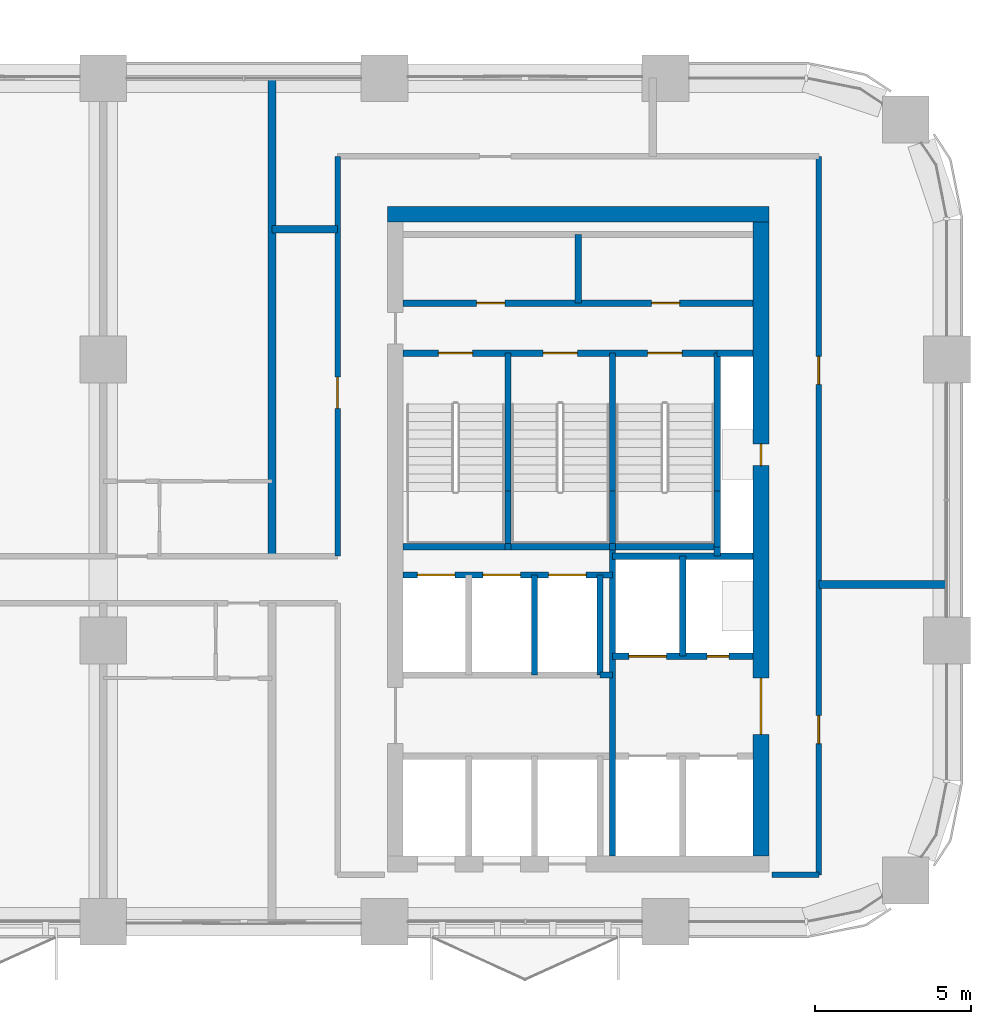
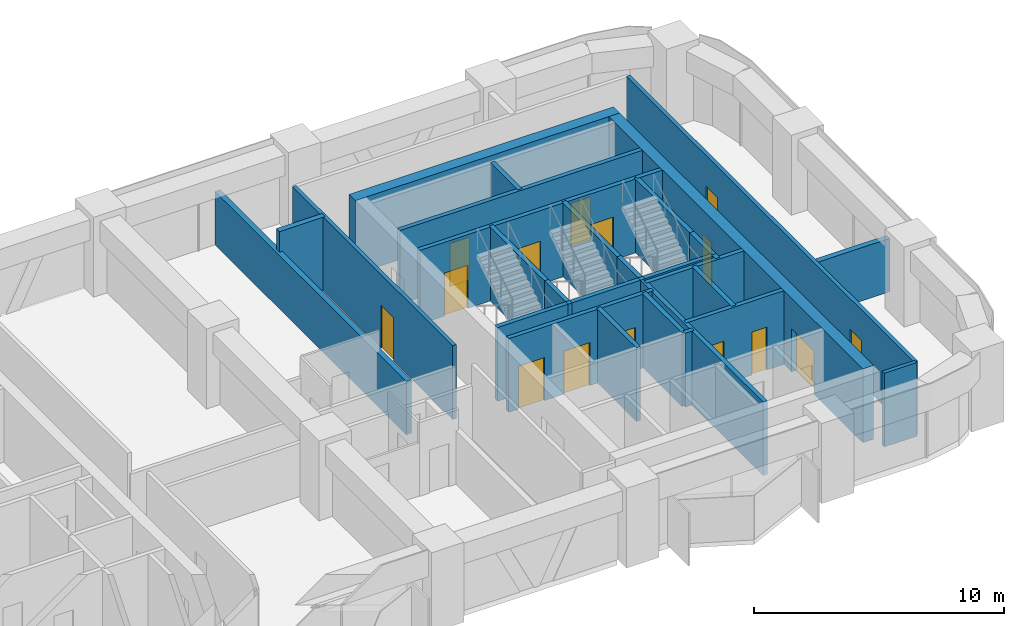
# One storey, part 10 of 13: 32 walls, 15 doors, 15 openings.
"""IFC4 building model written with IfcOpenShell, lengths in metres."""

from ifc_helpers import new_model, si_unit, direction, frame, frame_2d, origin, place, context, subcontext, project, spatial, rectangle, extrude, material, layer, layer_set, type_object, element, fill, save


model = new_model("IFC4")

# Units and contexts
model_context = context("Model", 3, precision=1e-05, world=origin(), true_north=direction((0.0, 1.0)))
body_context = subcontext(model_context, "Body", "Model", "MODEL_VIEW")
ifc_project = project(units=[si_unit("LENGTHUNIT", "METRE"), si_unit("AREAUNIT", "SQUARE_METRE"), si_unit("VOLUMEUNIT", "CUBIC_METRE"), si_unit("PLANEANGLEUNIT", "RADIAN"), si_unit("MASSUNIT", "GRAM", prefix="KILO")], contexts=[model_context])

# Site, building, storey
site_placement = place(None, origin())
site = spatial("IfcSite", under=ifc_project, at=site_placement, CompositionType="ELEMENT")
building_placement = place(site_placement, origin())
building = spatial("IfcBuilding", under=site, at=building_placement, Name="Tessera Arch", CompositionType="ELEMENT")
storey_placement = place(building_placement, frame((0.0, 0.0, 189.5)))
storey = spatial("IfcBuildingStorey", under=building, at=storey_placement, Name="L45", CompositionType="ELEMENT", Elevation=189.5)

# Walls
ifc_material_1 = material(Name="Gypsum board on steel stud", Category="steel")
ifc_layer_1 = layer(ifc_material_1, 0.125)
ifc_layer_set_1 = layer_set([ifc_layer_1], Name="Core partition 125 EI 60")
wall_type_1 = type_object("IfcWallType", Name="Core partition 125 EI 60", PredefinedType="PARTITIONING", material=ifc_layer_set_1)
wall_1_placement = place(storey_placement, frame((42.199951171875, 46.800048828125, 0.0), z_axis=(0.0, 0.0, 1.0), x_axis=(0.0, 1.0, 0.0)))
element("IfcWall", 1, at=wall_1_placement, inside=storey, type_object=wall_type_1, Name="L45 C1 partition wall 7", PredefinedType="PARTITIONING", context=body_context, shape_type="SweptSolid", body=[
    extrude(rectangle(XDim=2.199951171875, YDim=0.199951171875, at=frame_2d((1.10009765625, 0.0))), origin(), (0.0, 0.0, 1.0), 3.60009765625),
])
wall_2_placement = place(storey_placement, frame((42.89990234375, 34.89990234375, 0.0), z_axis=(0.0, 0.0, 1.0), x_axis=(1.0, 0.0, 0.0)))
element("IfcWall", 2, at=wall_2_placement, inside=storey, type_object=wall_type_1, Name="L45 C1 partition wall 19", PredefinedType="PARTITIONING", context=body_context, shape_type="SweptSolid", body=[
    extrude(rectangle(XDim=0.400146484375, YDim=0.199951171875, at=frame_2d((0.2001953125, 0.0))), origin(), (0.0, 0.0, 1.0), 3.60009765625),
])

# Wall, openings, doors
wall_3_placement = place(storey_placement, frame((36.60009765625, 46.800048828125, 0.0), z_axis=(0.0, 0.0, 1.0), x_axis=(1.0, 0.0, 0.0)))
wall_3 = element("IfcWall", 3, at=wall_3_placement, inside=storey, type_object=wall_type_1, Name="L45 C1 partition wall 31", PredefinedType="PARTITIONING", context=body_context, shape_type="SweptSolid", body=[
    extrude(rectangle(XDim=11.199951171875, YDim=0.199951171875, at=frame_2d((5.60009765625, 0.0))), origin(), (0.0, 0.0, 1.0), 3.60009765625),
])
opening_1_placement = place(wall_3_placement, frame((2.35009765625, 0.0, 0.0)))
opening_1 = element("IfcOpeningElement", 4, at=opening_1_placement, cuts=wall_3, Name="Opening L45-C18", PredefinedType="OPENING", context=body_context, shape_type="SweptSolid", body=[
    extrude(rectangle(XDim=0.89990234375, YDim=2.10009765625, at=frame_2d((0.449951171875, 1.050048828125))), frame((0.0, 0.10986328125, 0.0), z_axis=(0.0, -1.0, 0.0), x_axis=(1.0, 0.0, 0.0)), (0.0, 0.0, 1.0), 0.219970703125),
])
opening_2_placement = place(wall_3_placement, frame((7.949951171875, 0.0, 0.0)))
opening_2 = element("IfcOpeningElement", 5, at=opening_2_placement, cuts=wall_3, Name="Opening L45-C19", PredefinedType="OPENING", context=body_context, shape_type="SweptSolid", body=[
    extrude(rectangle(XDim=0.89990234375, YDim=2.10009765625, at=frame_2d((0.449951171875, 1.050048828125))), frame((0.0, 0.10986328125, 0.0), z_axis=(0.0, -1.0, 0.0), x_axis=(1.0, 0.0, 0.0)), (0.0, 0.0, 1.0), 0.219970703125),
])
ifc_material_2 = material(Name="Steel door leaf", Category="steel")
door_type_1 = type_object("IfcDoorType", Name="Store door FD30S 900 x 2100", OperationType="SINGLE_SWING_LEFT", PredefinedType="DOOR", material=ifc_material_2)
door_1_placement = place(opening_1_placement, origin())
door_1 = element("IfcDoor", 6, at=door_1_placement, inside=storey, type_object=door_type_1, Name="L45 C1 door 18 C18 type D09", OperationType="SINGLE_SWING_LEFT", OverallHeight=2.10009765625, OverallWidth=0.89990234375, PredefinedType="DOOR", context=body_context, shape_type="SweptSolid", body=[
    extrude(rectangle(XDim=0.89990234375, YDim=2.10009765625, at=frame_2d((0.449951171875, 1.050048828125))), frame((0.0, 0.02490234375, 0.0), z_axis=(0.0, -1.0, 0.0), x_axis=(1.0, 0.0, 0.0)), (0.0, 0.0, 1.0), 0.050048828125),
])
fill(opening_1, door_1)
door_2_placement = place(opening_2_placement, origin())
door_2 = element("IfcDoor", 7, at=door_2_placement, inside=storey, type_object=door_type_1, Name="L45 C1 door 19 C19 type D09", OperationType="SINGLE_SWING_RIGHT", OverallHeight=2.10009765625, OverallWidth=0.89990234375, PredefinedType="DOOR", context=body_context, shape_type="SweptSolid", body=[
    extrude(rectangle(XDim=0.89990234375, YDim=2.10009765625, at=frame_2d((0.449951171875, 1.050048828125))), frame((0.0, 0.02490234375, 0.0), z_axis=(0.0, -1.0, 0.0), x_axis=(1.0, 0.0, 0.0)), (0.0, 0.0, 1.0), 0.050048828125),
])
fill(opening_2, door_2)

# Wall
ifc_material_3 = material(Name="Concrete C60/75", Category="concrete")
ifc_layer_2 = layer(ifc_material_3, 0.5)
ifc_layer_set_2 = layer_set([ifc_layer_2], Name="Core shell wall 500 C60-75")
wall_type_2 = type_object("IfcWallType", Name="Core shell wall 500 C60-75", PredefinedType="SHEAR", material=ifc_layer_set_2)
wall_4_placement = place(storey_placement, frame((36.10009765625, 49.64990234375, 0.0), z_axis=(0.0, 0.0, 1.0), x_axis=(1.0, 0.0, 0.0)))
element("IfcWall", 8, at=wall_4_placement, inside=storey, type_object=wall_type_2, Name="L45 C1 core wall N", PredefinedType="SHEAR", context=body_context, shape_type="SweptSolid", body=[
    extrude(rectangle(XDim=12.199951171875, YDim=0.5, at=frame_2d((6.10009765625, 0.0))), origin(), (0.0, 0.0, 1.0), 3.60009765625),
])

# Wall, openings, doors
wall_5_placement = place(storey_placement, frame((48.050048828125, 29.10009765625, 0.0), z_axis=(0.0, 0.0, 1.0), x_axis=(0.0, 1.0, 0.0)))
wall_5 = element("IfcWall", 9, at=wall_5_placement, inside=storey, type_object=wall_type_2, Name="L45 C1 core wall E", PredefinedType="SHEAR", context=body_context, shape_type="SweptSolid", body=[
    extrude(rectangle(XDim=20.2998046875, YDim=0.5, at=frame_2d((10.14990234375, 0.0))), origin(), (0.0, 0.0, 1.0), 3.60009765625),
])
opening_3_placement = place(wall_5_placement, frame((12.5, 0.0, 0.0)))
opening_3 = element("IfcOpeningElement", 10, at=opening_3_placement, cuts=wall_5, Name="Opening L45-C14", PredefinedType="OPENING", context=body_context, shape_type="SweptSolid", body=[
    extrude(rectangle(XDim=0.699951171875, YDim=2.10009765625, at=frame_2d((0.35009765625, 1.050048828125))), frame((0.0, 0.260009765625, 0.0), z_axis=(0.0, -1.0, 0.0), x_axis=(1.0, 0.0, 0.0)), (0.0, 0.0, 1.0), 0.52001953125),
])
opening_4_placement = place(wall_5_placement, frame((3.89990234375, 0.0, 0.0)))
opening_4 = element("IfcOpeningElement", 11, at=opening_4_placement, cuts=wall_5, Name="Opening L45-C15", PredefinedType="OPENING", context=body_context, shape_type="SweptSolid", body=[
    extrude(rectangle(XDim=1.800048828125, YDim=2.10009765625, at=frame_2d((0.89990234375, 1.050048828125))), frame((0.0, 0.260009765625, 0.0), z_axis=(0.0, -1.0, 0.0), x_axis=(1.0, 0.0, 0.0)), (0.0, 0.0, 1.0), 0.52001953125),
])
ifc_material_4 = material(Name="Glazed steel door leaf", Category="steel")
door_type_2 = type_object("IfcDoorType", Name="Lobby double door FD60 1800 x 2100", OperationType="DOUBLE_DOOR_SINGLE_SWING", PredefinedType="DOOR", material=ifc_material_4)
door_3_placement = place(opening_4_placement, origin())
door_3 = element("IfcDoor", 12, at=door_3_placement, inside=storey, type_object=door_type_2, Name="L45 C1 door 15 C15 type D19", OperationType="DOUBLE_DOOR_SINGLE_SWING", OverallHeight=2.10009765625, OverallWidth=1.800048828125, PredefinedType="DOOR", context=body_context, shape_type="SweptSolid", body=[
    extrude(rectangle(XDim=1.800048828125, YDim=2.10009765625, at=frame_2d((0.89990234375, 1.050048828125))), frame((0.0, 0.02490234375, 0.0), z_axis=(0.0, -1.0, 0.0), x_axis=(1.0, 0.0, 0.0)), (0.0, 0.0, 1.0), 0.050048828125),
])
fill(opening_4, door_3)
ifc_material_5 = material(Name="Steel door leaf", Category="steel")
door_type_3 = type_object("IfcDoorType", Name="Service shaft door FD60 700 x 2100", OperationType="SINGLE_SWING_LEFT", PredefinedType="DOOR", material=ifc_material_5)
door_4_placement = place(opening_3_placement, origin())
door_4 = element("IfcDoor", 13, at=door_4_placement, inside=storey, type_object=door_type_3, Name="L45 C1 door 14 C14 type D07", OperationType="SINGLE_SWING_RIGHT", OverallHeight=2.10009765625, OverallWidth=0.699951171875, PredefinedType="DOOR", context=body_context, shape_type="SweptSolid", body=[
    extrude(rectangle(XDim=0.699951171875, YDim=2.10009765625, at=frame_2d((0.35009765625, 1.050048828125))), frame((0.0, 0.02490234375, 0.0), z_axis=(0.0, -1.0, 0.0), x_axis=(1.0, 0.0, 0.0)), (0.0, 0.0, 1.0), 0.050048828125),
])
fill(opening_3, door_4)

# Wall
ifc_material_6 = material(Name="Gypsum board on deep steel stud with mineral wool", Category="steel")
ifc_layer_3 = layer(ifc_material_6, 0.175048828125)
ifc_layer_set_3 = layer_set([ifc_layer_3], Name="Corridor wall 175 EI 60")
wall_type_3 = type_object("IfcWallType", Name="Corridor wall 175 EI 60", PredefinedType="PARTITIONING", material=ifc_layer_set_3)
wall_6_placement = place(storey_placement, frame((48.39990234375, 28.5, 0.0), z_axis=(0.0, 0.0, 1.0), x_axis=(1.0, 0.0, 0.0)))
element("IfcWall", 14, at=wall_6_placement, inside=storey, type_object=wall_type_3, Name="L45 partition 4", PredefinedType="PARTITIONING", context=body_context, shape_type="SweptSolid", body=[
    extrude(rectangle(XDim=1.5, YDim=0.175048828125, at=frame_2d((0.75, 0.0))), origin(), (0.0, 0.0, 1.0), 3.60009765625),
])

# Wall, opening, door
wall_7_placement = place(storey_placement, frame((34.5, 38.699951171875, 0.0), z_axis=(0.0, 0.0, 1.0), x_axis=(0.0, 1.0, 0.0)))
wall_7 = element("IfcWall", 15, at=wall_7_placement, inside=storey, type_object=wall_type_3, Name="L45 partition 13", PredefinedType="PARTITIONING", context=body_context, shape_type="SweptSolid", body=[
    extrude(rectangle(XDim=12.800048828125, YDim=0.175048828125, at=frame_2d((6.39990234375, 0.0))), origin(), (0.0, 0.0, 1.0), 3.60009765625),
])
opening_5_placement = place(wall_7_placement, frame((4.73193359375, 0.0, 0.0)))
opening_5 = element("IfcOpeningElement", 16, at=opening_5_placement, cuts=wall_7, Name="Opening L45-D008", PredefinedType="OPENING", context=body_context, shape_type="SweptSolid", body=[
    extrude(rectangle(XDim=1.0, YDim=2.10009765625, at=frame_2d((0.5, 1.050048828125))), frame((0.0, 0.097412109375, 0.0), z_axis=(0.0, -1.0, 0.0), x_axis=(1.0, 0.0, 0.0)), (0.0, 0.0, 1.0), 0.195068359375),
])
ifc_material_7 = material(Name="Fire-rated door leaf")
door_type_4 = type_object("IfcDoorType", Name="Entrance door FD30S 1000 x 2100", OperationType="SINGLE_SWING_LEFT", PredefinedType="DOOR", material=ifc_material_7)
door_5_placement = place(opening_5_placement, origin())
door_5 = element("IfcDoor", 17, at=door_5_placement, inside=storey, type_object=door_type_4, Name="L45 door D008 type D03", OperationType="SINGLE_SWING_LEFT", OverallHeight=2.10009765625, OverallWidth=1.0, PredefinedType="DOOR", context=body_context, shape_type="SweptSolid", body=[
    extrude(rectangle(XDim=1.0, YDim=2.10009765625, at=frame_2d((0.5, 1.050048828125))), frame((0.0, 0.02490234375, 0.0), z_axis=(0.0, -1.0, 0.0), x_axis=(1.0, 0.0, 0.0)), (0.0, 0.0, 1.0), 0.050048828125),
])
fill(opening_5, door_5)

# Wall, openings, doors
wall_8_placement = place(storey_placement, frame((49.89990234375, 28.5, 0.0), z_axis=(0.0, 0.0, 1.0), x_axis=(0.0, 1.0, 0.0)))
wall_8 = element("IfcWall", 18, at=wall_8_placement, inside=storey, type_object=wall_type_3, Name="L45 partition 14", PredefinedType="PARTITIONING", context=body_context, shape_type="SweptSolid", body=[
    extrude(rectangle(XDim=23.0, YDim=0.175048828125, at=frame_2d((11.5, 0.0))), origin(), (0.0, 0.0, 1.0), 3.60009765625),
])
opening_6_placement = place(wall_8_placement, frame((4.199951171875, 0.0, 0.0)))
opening_6 = element("IfcOpeningElement", 19, at=opening_6_placement, cuts=wall_8, Name="Opening L45-D002", PredefinedType="OPENING", context=body_context, shape_type="SweptSolid", body=[
    extrude(rectangle(XDim=0.89990234375, YDim=2.10009765625, at=frame_2d((0.449951171875, 1.050048828125))), frame((0.0, 0.097412109375, 0.0), z_axis=(0.0, -1.0, 0.0), x_axis=(1.0, 0.0, 0.0)), (0.0, 0.0, 1.0), 0.195068359375),
])
opening_7_placement = place(wall_8_placement, frame((15.699951171875, 0.0, 0.0)))
opening_7 = element("IfcOpeningElement", 20, at=opening_7_placement, cuts=wall_8, Name="Opening L45-D013", PredefinedType="OPENING", context=body_context, shape_type="SweptSolid", body=[
    extrude(rectangle(XDim=0.89990234375, YDim=2.10009765625, at=frame_2d((0.449951171875, 1.050048828125))), frame((0.0, 0.097412109375, 0.0), z_axis=(0.0, -1.0, 0.0), x_axis=(1.0, 0.0, 0.0)), (0.0, 0.0, 1.0), 0.195068359375),
])
ifc_material_8 = material(Name="Timber door leaf", Category="wood")
door_type_5 = type_object("IfcDoorType", Name="Room door 900 x 2100", OperationType="SINGLE_SWING_LEFT", PredefinedType="DOOR", material=ifc_material_8)
door_6_placement = place(opening_6_placement, origin())
door_6 = element("IfcDoor", 21, at=door_6_placement, inside=storey, type_object=door_type_5, Name="L45 door D002 type D01", OperationType="SINGLE_SWING_LEFT", OverallHeight=2.10009765625, OverallWidth=0.89990234375, PredefinedType="DOOR", context=body_context, shape_type="SweptSolid", body=[
    extrude(rectangle(XDim=0.89990234375, YDim=2.10009765625, at=frame_2d((0.449951171875, 1.050048828125))), frame((0.0, 0.02490234375, 0.0), z_axis=(0.0, -1.0, 0.0), x_axis=(1.0, 0.0, 0.0)), (0.0, 0.0, 1.0), 0.050048828125),
])
fill(opening_6, door_6)
door_7_placement = place(opening_7_placement, origin())
door_7 = element("IfcDoor", 22, at=door_7_placement, inside=storey, type_object=door_type_5, Name="L45 door D013 type D01", OperationType="SINGLE_SWING_RIGHT", OverallHeight=2.10009765625, OverallWidth=0.89990234375, PredefinedType="DOOR", context=body_context, shape_type="SweptSolid", body=[
    extrude(rectangle(XDim=0.89990234375, YDim=2.10009765625, at=frame_2d((0.449951171875, 1.050048828125))), frame((0.0, 0.02490234375, 0.0), z_axis=(0.0, -1.0, 0.0), x_axis=(1.0, 0.0, 0.0)), (0.0, 0.0, 1.0), 0.050048828125),
])
fill(opening_7, door_7)

# Walls
ifc_material_9 = material(Name="Double gypsum board on twin steel stud with acoustic mineral wool", Category="steel")
ifc_layer_4 = layer(ifc_material_9, 0.25)
ifc_layer_set_4 = layer_set([ifc_layer_4], Name="Party wall 250 EI 60")
wall_type_4 = type_object("IfcWallType", Name="Party wall 250 EI 60", PredefinedType="PARTITIONING", material=ifc_layer_set_4)
wall_9_placement = place(storey_placement, frame((49.89990234375, 37.800048828125, 0.0), z_axis=(0.0, 0.0, 1.0), x_axis=(1.0, 0.0, 0.0)))
element("IfcWall", 23, at=wall_9_placement, inside=storey, type_object=wall_type_4, Name="L45 partition 17", PredefinedType="PARTITIONING", context=body_context, shape_type="SweptSolid", body=[
    extrude(rectangle(XDim=4.10009765625, YDim=0.25, at=frame_2d((2.050048828125, 0.0))), origin(), (0.0, 0.0, 1.0), 2.60009765625),
])
wall_10_placement = place(storey_placement, frame((32.39990234375, 49.1640625, 0.0), z_axis=(0.0, 0.0, 1.0), x_axis=(1.0, 0.0, 0.0)))
element("IfcWall", 24, at=wall_10_placement, inside=storey, type_object=wall_type_4, Name="L45 partition 18", PredefinedType="PARTITIONING", context=body_context, shape_type="SweptSolid", body=[
    extrude(rectangle(XDim=2.10009765625, YDim=0.25, at=frame_2d((1.050048828125, 0.0))), origin(), (0.0, 0.0, 1.0), 3.60009765625),
])
wall_11_placement = place(storey_placement, frame((32.39990234375, 38.699951171875, 0.0), z_axis=(0.0, 0.0, 1.0), x_axis=(0.0, 1.0, 0.0)))
element("IfcWall", 25, at=wall_11_placement, inside=storey, type_object=wall_type_4, Name="L45 partition 24", PredefinedType="PARTITIONING", context=body_context, shape_type="SweptSolid", body=[
    extrude(rectangle(XDim=15.300048828125, YDim=0.25, at=frame_2d((7.64990234375, 0.0))), origin(), (0.0, 0.0, 1.0), 2.60009765625),
])
ifc_material_10 = material(Name="Concrete C40/50", Category="concrete")
ifc_layer_5 = layer(ifc_material_10, 0.199951171875)
ifc_layer_set_5 = layer_set([ifc_layer_5], Name="Shaft wall 200 EI 120")
wall_type_5 = type_object("IfcWallType", Name="Shaft wall 200 EI 120", PredefinedType="SOLIDWALL", material=ifc_layer_set_5)
for number, where, z_axis, x_axis, name in (
    (26, (40.800048828125, 34.89990234375, 0.0), (0.0, 0.0, 1.0), (0.0, 1.0, 0.0), "L45 C1 shaft wall 6"),
    (27, (42.89990234375, 34.89990234375, 0.0), (0.0, 0.0, 1.0), (0.0, 1.0, 0.0), "L45 C1 shaft wall 9"),
):
    element("IfcWall", number, at=place(storey_placement, frame(where, z_axis=z_axis, x_axis=x_axis)), inside=storey, type_object=wall_type_5, Name=name, PredefinedType="SOLIDWALL", context=body_context, shape_type="SweptSolid", body=[
        extrude(rectangle(XDim=3.2001953125, YDim=0.199951171875, at=frame_2d((1.60009765625, 0.0))), origin(), (0.0, 0.0, 1.0), 3.60009765625),
    ])
wall_12_placement = place(storey_placement, frame((43.300048828125, 29.10009765625, 0.0), z_axis=(0.0, 0.0, 1.0), x_axis=(0.0, 1.0, 0.0)))
element("IfcWall", 28, at=wall_12_placement, inside=storey, type_object=wall_type_5, Name="L45 C1 shaft wall 10", PredefinedType="SOLIDWALL", context=body_context, shape_type="SweptSolid", body=[
    extrude(rectangle(XDim=9.89990234375, YDim=0.199951171875, at=frame_2d((4.949951171875, 0.0))), origin(), (0.0, 0.0, 1.0), 3.60009765625),
])
wall_13_placement = place(storey_placement, frame((45.550048828125, 35.5, 0.0), z_axis=(0.0, 0.0, 1.0), x_axis=(0.0, 1.0, 0.0)))
element("IfcWall", 29, at=wall_13_placement, inside=storey, type_object=wall_type_5, Name="L45 C1 shaft wall 14", PredefinedType="SOLIDWALL", context=body_context, shape_type="SweptSolid", body=[
    extrude(rectangle(XDim=3.199951171875, YDim=0.199951171875, at=frame_2d((1.60009765625, 0.0))), origin(), (0.0, 0.0, 1.0), 3.60009765625),
])
wall_14_placement = place(storey_placement, frame((46.64990234375, 38.699951171875, 0.0), z_axis=(0.0, 0.0, 1.0), x_axis=(0.0, 1.0, 0.0)))
element("IfcWall", 30, at=wall_14_placement, inside=storey, type_object=wall_type_5, Name="L45 C1 shaft wall 15", PredefinedType="SOLIDWALL", context=body_context, shape_type="SweptSolid", body=[
    extrude(rectangle(XDim=0.300048828125, YDim=0.199951171875, at=frame_2d((0.14990234375, 0.0))), origin(), (0.0, 0.0, 1.0), 3.60009765625),
])

# Wall, openings, doors
wall_15_placement = place(storey_placement, frame((43.300048828125, 35.5, 0.0), z_axis=(0.0, 0.0, 1.0), x_axis=(1.0, 0.0, 0.0)))
wall_15 = element("IfcWall", 31, at=wall_15_placement, inside=storey, type_object=wall_type_5, Name="L45 C1 shaft wall 21", PredefinedType="SOLIDWALL", context=body_context, shape_type="SweptSolid", body=[
    extrude(rectangle(XDim=4.5, YDim=0.199951171875, at=frame_2d((2.25, 0.0))), origin(), (0.0, 0.0, 1.0), 3.60009765625),
])
opening_8_placement = place(wall_15_placement, frame((0.52490234375, 0.0, 0.0)))
opening_8 = element("IfcOpeningElement", 32, at=opening_8_placement, cuts=wall_15, Name="Opening L45-C09", PredefinedType="OPENING", context=body_context, shape_type="SweptSolid", body=[
    extrude(rectangle(XDim=1.199951171875, YDim=2.10009765625, at=frame_2d((0.60009765625, 1.050048828125))), frame((0.0, 0.10986328125, 0.0), z_axis=(0.0, -1.0, 0.0), x_axis=(1.0, 0.0, 0.0)), (0.0, 0.0, 1.0), 0.219970703125),
])
opening_9_placement = place(wall_15_placement, frame((3.02490234375, 0.0, 0.0)))
opening_9 = element("IfcOpeningElement", 33, at=opening_9_placement, cuts=wall_15, Name="Opening L45-C16", PredefinedType="OPENING", context=body_context, shape_type="SweptSolid", body=[
    extrude(rectangle(XDim=0.699951171875, YDim=2.10009765625, at=frame_2d((0.35009765625, 1.050048828125))), frame((0.0, 0.10986328125, 0.0), z_axis=(0.0, -1.0, 0.0), x_axis=(1.0, 0.0, 0.0)), (0.0, 0.0, 1.0), 0.219970703125),
])
door_8_placement = place(opening_9_placement, origin())
door_8 = element("IfcDoor", 34, at=door_8_placement, inside=storey, type_object=door_type_3, Name="L45 C1 door 16 C16 type D07", OperationType="SINGLE_SWING_RIGHT", OverallHeight=2.10009765625, OverallWidth=0.699951171875, PredefinedType="DOOR", context=body_context, shape_type="SweptSolid", body=[
    extrude(rectangle(XDim=0.699951171875, YDim=2.10009765625, at=frame_2d((0.35009765625, 1.050048828125))), frame((0.0, 0.02490234375, 0.0), z_axis=(0.0, -1.0, 0.0), x_axis=(1.0, 0.0, 0.0)), (0.0, 0.0, 1.0), 0.050048828125),
])
fill(opening_9, door_8)
ifc_material_11 = material(Name="Stainless steel AISI 304", Category="steel")
door_type_6 = type_object("IfcDoorType", Name="Sliding landing door 1200 x 2100", OperationType="SLIDING_TO_LEFT", PredefinedType="DOOR", material=ifc_material_11)
door_9_placement = place(opening_8_placement, origin())
door_9 = element("IfcDoor", 35, at=door_9_placement, inside=storey, type_object=door_type_6, Name="L45 SV2 lift landing door C09 type LD", OperationType="SLIDING_TO_LEFT", OverallHeight=2.10009765625, OverallWidth=1.199951171875, PredefinedType="DOOR", context=body_context, shape_type="SweptSolid", body=[
    extrude(rectangle(XDim=1.199951171875, YDim=2.10009765625, at=frame_2d((0.60009765625, 1.050048828125))), frame((0.0, 0.02490234375, 0.0), z_axis=(0.0, -1.0, 0.0), x_axis=(1.0, 0.0, 0.0)), (0.0, 0.0, 1.0), 0.050048828125),
])
fill(opening_8, door_9)

wall_16_placement = place(storey_placement, frame((36.60009765625, 38.10009765625, 0.0), z_axis=(0.0, 0.0, 1.0), x_axis=(1.0, 0.0, 0.0)))
wall_16 = element("IfcWall", 36, at=wall_16_placement, inside=storey, type_object=wall_type_5, Name="L45 C1 shaft wall 22", PredefinedType="SOLIDWALL", context=body_context, shape_type="SweptSolid", body=[
    extrude(rectangle(XDim=6.699951171875, YDim=0.199951171875, at=frame_2d((3.35009765625, 0.0))), origin(), (0.0, 0.0, 1.0), 3.60009765625),
])
opening_10_placement = place(wall_16_placement, frame((0.449951171875, 0.0, 0.0)))
opening_10 = element("IfcOpeningElement", 37, at=opening_10_placement, cuts=wall_16, Name="Opening L45-C02", PredefinedType="OPENING", context=body_context, shape_type="SweptSolid", body=[
    extrude(rectangle(XDim=1.199951171875, YDim=2.10009765625, at=frame_2d((0.60009765625, 1.050048828125))), frame((0.0, 0.10986328125, 0.0), z_axis=(0.0, -1.0, 0.0), x_axis=(1.0, 0.0, 0.0)), (0.0, 0.0, 1.0), 0.219970703125),
])
opening_11_placement = place(wall_16_placement, frame((2.550048828125, 0.0, 0.0)))
opening_11 = element("IfcOpeningElement", 38, at=opening_11_placement, cuts=wall_16, Name="Opening L45-C04", PredefinedType="OPENING", context=body_context, shape_type="SweptSolid", body=[
    extrude(rectangle(XDim=1.199951171875, YDim=2.10009765625, at=frame_2d((0.60009765625, 1.050048828125))), frame((0.0, 0.10986328125, 0.0), z_axis=(0.0, -1.0, 0.0), x_axis=(1.0, 0.0, 0.0)), (0.0, 0.0, 1.0), 0.219970703125),
])
opening_12_placement = place(wall_16_placement, frame((4.64990234375, 0.0, 0.0)))
opening_12 = element("IfcOpeningElement", 39, at=opening_12_placement, cuts=wall_16, Name="Opening L45-C06", PredefinedType="OPENING", context=body_context, shape_type="SweptSolid", body=[
    extrude(rectangle(XDim=1.199951171875, YDim=2.10009765625, at=frame_2d((0.60009765625, 1.050048828125))), frame((0.0, 0.10986328125, 0.0), z_axis=(0.0, -1.0, 0.0), x_axis=(1.0, 0.0, 0.0)), (0.0, 0.0, 1.0), 0.219970703125),
])
door_10_placement = place(opening_10_placement, origin())
door_10 = element("IfcDoor", 40, at=door_10_placement, inside=storey, type_object=door_type_6, Name="L45 HR4 lift landing door C02 type LD", OperationType="SLIDING_TO_LEFT", OverallHeight=2.10009765625, OverallWidth=1.199951171875, PredefinedType="DOOR", context=body_context, shape_type="SweptSolid", body=[
    extrude(rectangle(XDim=1.199951171875, YDim=2.10009765625, at=frame_2d((0.60009765625, 1.050048828125))), frame((0.0, 0.02490234375, 0.0), z_axis=(0.0, -1.0, 0.0), x_axis=(1.0, 0.0, 0.0)), (0.0, 0.0, 1.0), 0.050048828125),
])
fill(opening_10, door_10)
door_11_placement = place(opening_11_placement, origin())
door_11 = element("IfcDoor", 41, at=door_11_placement, inside=storey, type_object=door_type_6, Name="L45 HR5 lift landing door C04 type LD", OperationType="SLIDING_TO_LEFT", OverallHeight=2.10009765625, OverallWidth=1.199951171875, PredefinedType="DOOR", context=body_context, shape_type="SweptSolid", body=[
    extrude(rectangle(XDim=1.199951171875, YDim=2.10009765625, at=frame_2d((0.60009765625, 1.050048828125))), frame((0.0, 0.02490234375, 0.0), z_axis=(0.0, -1.0, 0.0), x_axis=(1.0, 0.0, 0.0)), (0.0, 0.0, 1.0), 0.050048828125),
])
fill(opening_11, door_11)
door_12_placement = place(opening_12_placement, origin())
door_12 = element("IfcDoor", 42, at=door_12_placement, inside=storey, type_object=door_type_6, Name="L45 HR6 lift landing door C06 type LD", OperationType="SLIDING_TO_LEFT", OverallHeight=2.10009765625, OverallWidth=1.199951171875, PredefinedType="DOOR", context=body_context, shape_type="SweptSolid", body=[
    extrude(rectangle(XDim=1.199951171875, YDim=2.10009765625, at=frame_2d((0.60009765625, 1.050048828125))), frame((0.0, 0.02490234375, 0.0), z_axis=(0.0, -1.0, 0.0), x_axis=(1.0, 0.0, 0.0)), (0.0, 0.0, 1.0), 0.050048828125),
])
fill(opening_12, door_12)

# Walls
wall_17_placement = place(storey_placement, frame((43.300048828125, 38.699951171875, 0.0), z_axis=(0.0, 0.0, 1.0), x_axis=(1.0, 0.0, 0.0)))
element("IfcWall", 43, at=wall_17_placement, inside=storey, type_object=wall_type_5, Name="L45 C1 shaft wall 23", PredefinedType="SOLIDWALL", context=body_context, shape_type="SweptSolid", body=[
    extrude(rectangle(XDim=4.5, YDim=0.199951171875, at=frame_2d((2.25, 0.0))), origin(), (0.0, 0.0, 1.0), 3.60009765625),
])
wall_18_placement = place(storey_placement, frame((46.64990234375, 45.199951171875, 0.0), z_axis=(0.0, 0.0, 1.0), x_axis=(1.0, 0.0, 0.0)))
element("IfcWall", 44, at=wall_18_placement, inside=storey, type_object=wall_type_5, Name="L45 C1 shaft wall 29", PredefinedType="SOLIDWALL", context=body_context, shape_type="SweptSolid", body=[
    extrude(rectangle(XDim=1.150146484375, YDim=0.199951171875, at=frame_2d((0.5751953125, 0.0))), origin(), (0.0, 0.0, 1.0), 3.60009765625),
])
ifc_material_12 = material(Name="Concrete C40/50", Category="concrete")
ifc_layer_6 = layer(ifc_material_12, 0.199951171875)
ifc_layer_set_6 = layer_set([ifc_layer_6], Name="Stair well wall 200 REI 180")
wall_type_6 = type_object("IfcWallType", Name="Stair well wall 200 REI 180", PredefinedType="SOLIDWALL", material=ifc_layer_set_6)
wall_19_placement = place(storey_placement, frame((39.949951171875, 39.0, 0.0), z_axis=(0.0, 0.0, 1.0), x_axis=(0.0, 1.0, 0.0)))
element("IfcWall", 45, at=wall_19_placement, inside=storey, type_object=wall_type_6, Name="L45 C1 shaft wall 3", PredefinedType="SOLIDWALL", context=body_context, shape_type="SweptSolid", body=[
    extrude(rectangle(XDim=1.780029296875, YDim=0.199951171875, at=frame_2d((0.89013671875, 0.0))), origin(), (0.0, 0.0, 1.0), 3.60009765625),
])
wall_20_placement = place(storey_placement, frame((39.949951171875, 40.780029296875, 0.0), z_axis=(0.0, 0.0, 1.0), x_axis=(0.0, 1.0, 0.0)))
element("IfcWall", 46, at=wall_20_placement, inside=storey, type_object=wall_type_6, Name="L45 C1 shaft wall 4", PredefinedType="SOLIDWALL", context=body_context, shape_type="SweptSolid", body=[
    extrude(rectangle(XDim=4.419921875, YDim=0.199951171875, at=frame_2d((2.2099609375, 0.0))), origin(), (0.0, 0.0, 1.0), 3.60009765625),
])
wall_21_placement = place(storey_placement, frame((43.300048828125, 39.0, 0.0), z_axis=(0.0, 0.0, 1.0), x_axis=(0.0, 1.0, 0.0)))
element("IfcWall", 47, at=wall_21_placement, inside=storey, type_object=wall_type_6, Name="L45 C1 shaft wall 11", PredefinedType="SOLIDWALL", context=body_context, shape_type="SweptSolid", body=[
    extrude(rectangle(XDim=1.780029296875, YDim=0.199951171875, at=frame_2d((0.89013671875, 0.0))), origin(), (0.0, 0.0, 1.0), 3.60009765625),
])
wall_22_placement = place(storey_placement, frame((43.300048828125, 40.780029296875, 0.0), z_axis=(0.0, 0.0, 1.0), x_axis=(0.0, 1.0, 0.0)))
element("IfcWall", 48, at=wall_22_placement, inside=storey, type_object=wall_type_6, Name="L45 C1 shaft wall 12", PredefinedType="SOLIDWALL", context=body_context, shape_type="SweptSolid", body=[
    extrude(rectangle(XDim=4.419921875, YDim=0.199951171875, at=frame_2d((2.2099609375, 0.0))), origin(), (0.0, 0.0, 1.0), 3.60009765625),
])
wall_23_placement = place(storey_placement, frame((46.64990234375, 39.0, 0.0), z_axis=(0.0, 0.0, 1.0), x_axis=(0.0, 1.0, 0.0)))
element("IfcWall", 49, at=wall_23_placement, inside=storey, type_object=wall_type_6, Name="L45 C1 shaft wall 16", PredefinedType="SOLIDWALL", context=body_context, shape_type="SweptSolid", body=[
    extrude(rectangle(XDim=1.780029296875, YDim=0.199951171875, at=frame_2d((0.89013671875, 0.0))), origin(), (0.0, 0.0, 1.0), 3.60009765625),
])
wall_24_placement = place(storey_placement, frame((46.64990234375, 40.780029296875, 0.0), z_axis=(0.0, 0.0, 1.0), x_axis=(0.0, 1.0, 0.0)))
element("IfcWall", 50, at=wall_24_placement, inside=storey, type_object=wall_type_6, Name="L45 C1 shaft wall 17", PredefinedType="SOLIDWALL", context=body_context, shape_type="SweptSolid", body=[
    extrude(rectangle(XDim=4.419921875, YDim=0.199951171875, at=frame_2d((2.2099609375, 0.0))), origin(), (0.0, 0.0, 1.0), 3.60009765625),
])
wall_25_placement = place(storey_placement, frame((36.60009765625, 39.0, 0.0), z_axis=(0.0, 0.0, 1.0), x_axis=(1.0, 0.0, 0.0)))
element("IfcWall", 51, at=wall_25_placement, inside=storey, type_object=wall_type_6, Name="L45 C1 shaft wall 24", PredefinedType="SOLIDWALL", context=body_context, shape_type="SweptSolid", body=[
    extrude(rectangle(XDim=3.25, YDim=0.199951171875, at=frame_2d((1.625, 0.0))), origin(), (0.0, 0.0, 1.0), 3.60009765625),
])
wall_26_placement = place(storey_placement, frame((39.85009765625, 39.0, 0.0), z_axis=(0.0, 0.0, 1.0), x_axis=(1.0, 0.0, 0.0)))
element("IfcWall", 52, at=wall_26_placement, inside=storey, type_object=wall_type_6, Name="L45 C1 shaft wall 25", PredefinedType="SOLIDWALL", context=body_context, shape_type="SweptSolid", body=[
    extrude(rectangle(XDim=0.199951171875, YDim=0.199951171875, at=frame_2d((0.10009765625, 0.0))), origin(), (0.0, 0.0, 1.0), 3.60009765625),
])
wall_27_placement = place(storey_placement, frame((40.050048828125, 39.0, 0.0), z_axis=(0.0, 0.0, 1.0), x_axis=(1.0, 0.0, 0.0)))
element("IfcWall", 53, at=wall_27_placement, inside=storey, type_object=wall_type_6, Name="L45 C1 shaft wall 26", PredefinedType="SOLIDWALL", context=body_context, shape_type="SweptSolid", body=[
    extrude(rectangle(XDim=3.14990234375, YDim=0.199951171875, at=frame_2d((1.574951171875, 0.0))), origin(), (0.0, 0.0, 1.0), 3.60009765625),
])
wall_28_placement = place(storey_placement, frame((43.199951171875, 39.0, 0.0), z_axis=(0.0, 0.0, 1.0), x_axis=(1.0, 0.0, 0.0)))
element("IfcWall", 54, at=wall_28_placement, inside=storey, type_object=wall_type_6, Name="L45 C1 shaft wall 27", PredefinedType="SOLIDWALL", context=body_context, shape_type="SweptSolid", body=[
    extrude(rectangle(XDim=0.199951171875, YDim=0.199951171875, at=frame_2d((0.10009765625, 0.0))), origin(), (0.0, 0.0, 1.0), 3.60009765625),
])
wall_29_placement = place(storey_placement, frame((43.39990234375, 39.0, 0.0), z_axis=(0.0, 0.0, 1.0), x_axis=(1.0, 0.0, 0.0)))
element("IfcWall", 55, at=wall_29_placement, inside=storey, type_object=wall_type_6, Name="L45 C1 shaft wall 28", PredefinedType="SOLIDWALL", context=body_context, shape_type="SweptSolid", body=[
    extrude(rectangle(XDim=3.25, YDim=0.199951171875, at=frame_2d((1.625, 0.0))), origin(), (0.0, 0.0, 1.0), 3.60009765625),
])

# Wall, openings, doors
wall_30_placement = place(storey_placement, frame((36.60009765625, 45.199951171875, 0.0), z_axis=(0.0, 0.0, 1.0), x_axis=(1.0, 0.0, 0.0)))
wall_30 = element("IfcWall", 56, at=wall_30_placement, inside=storey, type_object=wall_type_6, Name="L45 C1 shaft wall 30", PredefinedType="SOLIDWALL", context=body_context, shape_type="SweptSolid", body=[
    extrude(rectangle(XDim=10.0498046875, YDim=0.199951171875, at=frame_2d((5.02490234375, 0.0))), origin(), (0.0, 0.0, 1.0), 3.60009765625),
])
opening_13_placement = place(wall_30_placement, frame((1.125, 0.0, 0.0)))
opening_13 = element("IfcOpeningElement", 57, at=opening_13_placement, cuts=wall_30, Name="Opening L45-C11", PredefinedType="OPENING", context=body_context, shape_type="SweptSolid", body=[
    extrude(rectangle(XDim=1.10009765625, YDim=2.10009765625, at=frame_2d((0.550048828125, 1.050048828125))), frame((0.0, 0.10986328125, 0.0), z_axis=(0.0, -1.0, 0.0), x_axis=(1.0, 0.0, 0.0)), (0.0, 0.0, 1.0), 0.219970703125),
])
opening_14_placement = place(wall_30_placement, frame((4.47509765625, 0.0, 0.0)))
opening_14 = element("IfcOpeningElement", 58, at=opening_14_placement, cuts=wall_30, Name="Opening L45-C12", PredefinedType="OPENING", context=body_context, shape_type="SweptSolid", body=[
    extrude(rectangle(XDim=1.10009765625, YDim=2.10009765625, at=frame_2d((0.550048828125, 1.050048828125))), frame((0.0, 0.10986328125, 0.0), z_axis=(0.0, -1.0, 0.0), x_axis=(1.0, 0.0, 0.0)), (0.0, 0.0, 1.0), 0.219970703125),
])
opening_15_placement = place(wall_30_placement, frame((7.824951171875, 0.0, 0.0)))
opening_15 = element("IfcOpeningElement", 59, at=opening_15_placement, cuts=wall_30, Name="Opening L45-C13", PredefinedType="OPENING", context=body_context, shape_type="SweptSolid", body=[
    extrude(rectangle(XDim=1.10009765625, YDim=2.10009765625, at=frame_2d((0.550048828125, 1.050048828125))), frame((0.0, 0.10986328125, 0.0), z_axis=(0.0, -1.0, 0.0), x_axis=(1.0, 0.0, 0.0)), (0.0, 0.0, 1.0), 0.219970703125),
])
ifc_material_13 = material(Name="Steel door leaf", Category="steel")
door_type_7 = type_object("IfcDoorType", Name="Stair door FD60 1100 x 2100", OperationType="SINGLE_SWING_LEFT", PredefinedType="DOOR", material=ifc_material_13)
door_13_placement = place(opening_13_placement, origin())
door_13 = element("IfcDoor", 60, at=door_13_placement, inside=storey, type_object=door_type_7, Name="L45 C1 door 11 C11 type D05", OperationType="SINGLE_SWING_LEFT", OverallHeight=2.10009765625, OverallWidth=1.10009765625, PredefinedType="DOOR", context=body_context, shape_type="SweptSolid", body=[
    extrude(rectangle(XDim=1.10009765625, YDim=2.10009765625, at=frame_2d((0.550048828125, 1.050048828125))), frame((0.0, 0.02490234375, 0.0), z_axis=(0.0, -1.0, 0.0), x_axis=(1.0, 0.0, 0.0)), (0.0, 0.0, 1.0), 0.050048828125),
])
fill(opening_13, door_13)
door_14_placement = place(opening_14_placement, origin())
door_14 = element("IfcDoor", 61, at=door_14_placement, inside=storey, type_object=door_type_7, Name="L45 C1 door 12 C12 type D05", OperationType="SINGLE_SWING_RIGHT", OverallHeight=2.10009765625, OverallWidth=1.10009765625, PredefinedType="DOOR", context=body_context, shape_type="SweptSolid", body=[
    extrude(rectangle(XDim=1.10009765625, YDim=2.10009765625, at=frame_2d((0.550048828125, 1.050048828125))), frame((0.0, 0.02490234375, 0.0), z_axis=(0.0, -1.0, 0.0), x_axis=(1.0, 0.0, 0.0)), (0.0, 0.0, 1.0), 0.050048828125),
])
fill(opening_14, door_14)
door_15_placement = place(opening_15_placement, origin())
door_15 = element("IfcDoor", 62, at=door_15_placement, inside=storey, type_object=door_type_7, Name="L45 C1 door 13 C13 type D05", OperationType="SINGLE_SWING_RIGHT", OverallHeight=2.10009765625, OverallWidth=1.10009765625, PredefinedType="DOOR", context=body_context, shape_type="SweptSolid", body=[
    extrude(rectangle(XDim=1.10009765625, YDim=2.10009765625, at=frame_2d((0.550048828125, 1.050048828125))), frame((0.0, 0.02490234375, 0.0), z_axis=(0.0, -1.0, 0.0), x_axis=(1.0, 0.0, 0.0)), (0.0, 0.0, 1.0), 0.050048828125),
])
fill(opening_15, door_15)

save(model, "model.ifc")
